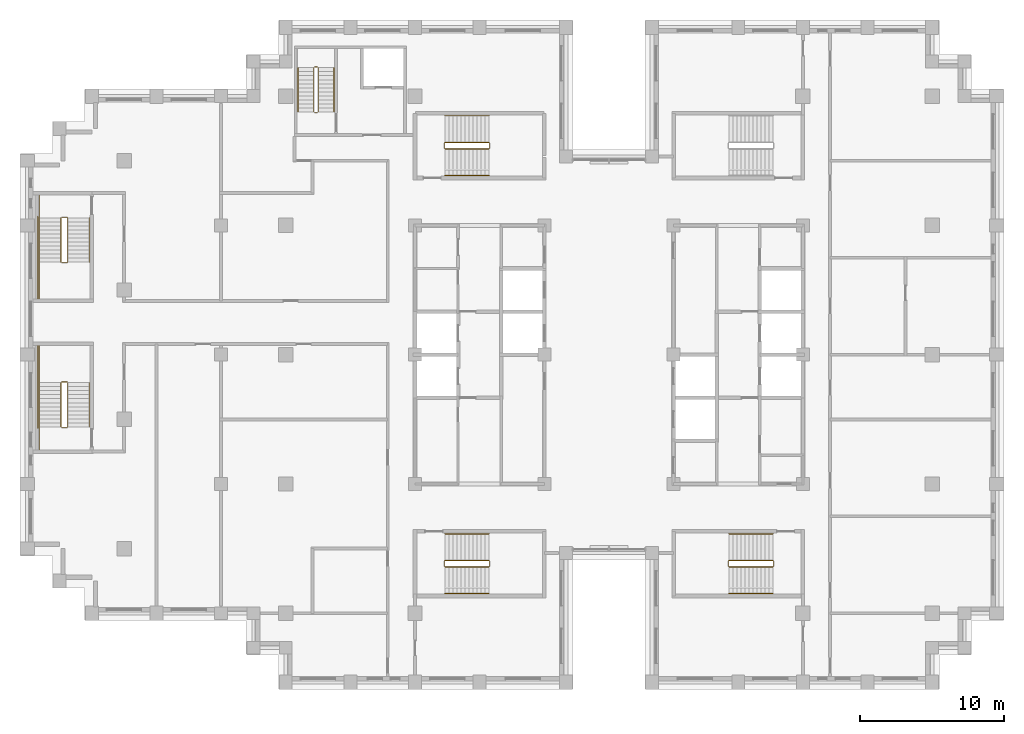
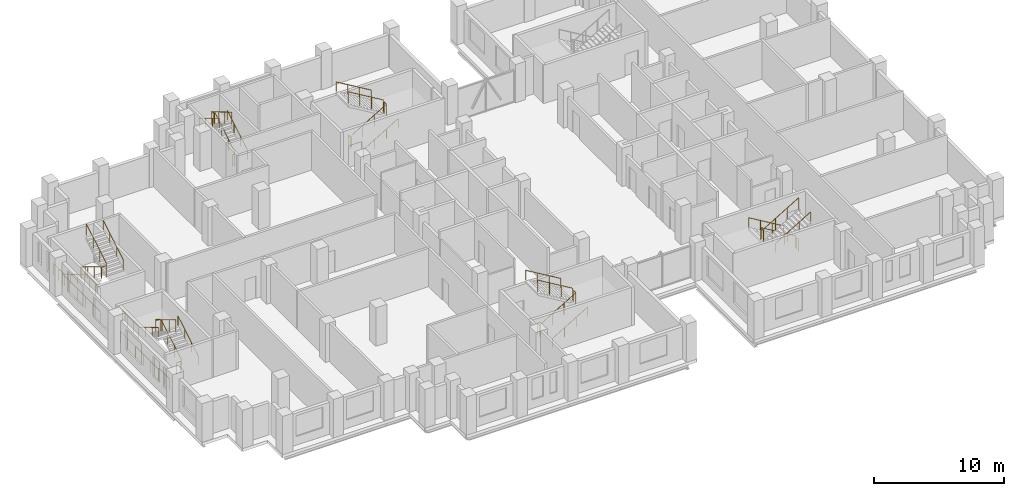
# One storey, part 14 of 15: 6 railings.
"""IFC4 building model written with IfcOpenShell, lengths in metres."""

from ifc_helpers import new_model, si_unit, direction, frame, origin, origin_2d, place, context, subcontext, project, spatial, circle, extrude, material, type_object, element, save


model = new_model("IFC4")

# Units and contexts
model_context = context("Model", 3, precision=1e-05, world=origin(), true_north=direction((0.0, 1.0)))
body_context = subcontext(model_context, "Body", "Model", "MODEL_VIEW")
ifc_project = project(units=[si_unit("LENGTHUNIT", "METRE"), si_unit("AREAUNIT", "SQUARE_METRE"), si_unit("VOLUMEUNIT", "CUBIC_METRE"), si_unit("PLANEANGLEUNIT", "RADIAN"), si_unit("MASSUNIT", "GRAM", prefix="KILO")], contexts=[model_context])

# Site, building, storey
site_placement = place(None, origin())
site = spatial("IfcSite", under=ifc_project, at=site_placement, CompositionType="ELEMENT")
building_placement = place(site_placement, origin())
building = spatial("IfcBuilding", under=site, at=building_placement, Name="Corbelhall Arena Tower", CompositionType="ELEMENT")
storey_placement = place(building_placement, frame((0.0, 0.0, 232.0)))
storey = spatial("IfcBuildingStorey", under=building, at=storey_placement, Name="L49", CompositionType="ELEMENT", Elevation=232.0)

# Railings
ifc_material = material(Name="Steel ASTM A500 Gr C", Category="steel")
railing_type = type_object("IfcRailingType", Name="IN-GD-1100", PredefinedType="GUARDRAIL", material=ifc_material)
railing_1_placement = place(storey_placement, frame((-11.425048828125, 14.324951171875, 0.166748046875)))
element("IfcRailing", 1, at=railing_1_placement, inside=storey, type_object=railing_type, Name="L49 ST1 stair guards and handrails", PredefinedType="GUARDRAIL", context=body_context, shape_type="SweptSolid", body=[
    extrude(circle(Radius=0.02392578125, at=origin_2d()), frame((0.0, 0.0, 1.076171875), z_axis=(0.859308565015, 0.0, 0.511457515432), x_axis=(0.0, 1.0, 0.0)), (0.0, 0.0, 1.0), 3.58447265625),
    extrude(circle(Radius=0.02392578125, at=origin_2d()), frame((3.130126953125, 0.050048828125, 2.9091796875), z_axis=(0.0, 1.0, 0.0), x_axis=(-1.0, 0.0, 0.0)), (0.0, 0.0, 1.0), 0.35009765625),
    extrude(circle(Radius=0.02392578125, at=origin_2d()), frame((3.080078125, 0.449951171875, 3.076171875), z_axis=(-0.859308565015, 0.0, 0.511457515432), x_axis=(0.0, -1.0, 0.0)), (0.0, 0.0, 1.0), 3.58447265625),
    extrude(circle(Radius=0.02392578125, at=origin_2d()), frame((-0.050048828125, 0.050048828125, 0.9091796875), z_axis=(0.0, 1.0, 0.0), x_axis=(-1.0, 0.0, 0.0)), (0.0, 0.0, 1.0), 0.35009765625),
    extrude(circle(Radius=0.02392578125, at=origin_2d()), frame((0.0, -1.849853515625, 0.8759765625), z_axis=(0.859308565015, 0.0, 0.511457515432), x_axis=(0.0, 1.0, 0.0)), (0.0, 0.0, 1.0), 3.58447265625),
    extrude(circle(Radius=0.02392578125, at=origin_2d()), frame((3.080078125, 2.300048828125, 2.8759765625), z_axis=(-0.859308565015, 0.0, 0.511457515432), x_axis=(0.0, -1.0, 0.0)), (0.0, 0.0, 1.0), 3.58447265625),
    extrude(circle(Radius=0.02099609375, at=origin_2d()), origin(), (0.0, 0.0, 1.0), 1.052001953125),
    extrude(circle(Radius=0.02099609375, at=origin_2d()), frame((1.026611328125, 0.0, 0.611083984375)), (0.0, 0.0, 1.0), 1.052001953125),
    extrude(circle(Radius=0.02099609375, at=origin_2d()), frame((2.053466796875, 0.0, 1.22216796875)), (0.0, 0.0, 1.0), 1.052001953125),
    extrude(circle(Radius=0.02099609375, at=origin_2d()), frame((3.080078125, 0.0, 1.833251953125)), (0.0, 0.0, 1.0), 1.052001953125),
    extrude(circle(Radius=0.02099609375, at=origin_2d()), frame((3.130126953125, 0.050048828125, 1.833251953125)), (0.0, 0.0, 1.0), 1.052001953125),
    extrude(circle(Radius=0.02099609375, at=origin_2d()), frame((3.130126953125, 0.400146484375, 1.833251953125)), (0.0, 0.0, 1.0), 1.052001953125),
    extrude(circle(Radius=0.02099609375, at=origin_2d()), frame((3.080078125, 0.449951171875, 2.0)), (0.0, 0.0, 1.0), 1.052001953125),
    extrude(circle(Radius=0.02099609375, at=origin_2d()), frame((2.053466796875, 0.449951171875, 2.611083984375)), (0.0, 0.0, 1.0), 1.052001953125),
    extrude(circle(Radius=0.02099609375, at=origin_2d()), frame((1.026611328125, 0.449951171875, 3.22216796875)), (0.0, 0.0, 1.0), 1.052001953125),
    extrude(circle(Radius=0.02099609375, at=origin_2d()), frame((0.0, 0.449951171875, 3.833251953125)), (0.0, 0.0, 1.0), 1.052001953125),
    extrude(circle(Radius=0.02099609375, at=origin_2d()), frame((-0.050048828125, 0.050048828125, -0.166748046875)), (0.0, 0.0, 1.0), 1.052001953125),
    extrude(circle(Radius=0.02099609375, at=origin_2d()), frame((-0.050048828125, 0.400146484375, -0.166748046875)), (0.0, 0.0, 1.0), 1.052001953125),
    extrude(circle(Radius=0.02099609375, at=origin_2d()), frame((0.0, -1.849853515625, 0.0)), (0.0, 0.0, 1.0), 0.851806640625),
    extrude(circle(Radius=0.02099609375, at=origin_2d()), frame((1.026611328125, -1.849853515625, 0.611083984375)), (0.0, 0.0, 1.0), 0.851806640625),
    extrude(circle(Radius=0.02099609375, at=origin_2d()), frame((2.053466796875, -1.849853515625, 1.22216796875)), (0.0, 0.0, 1.0), 0.851806640625),
    extrude(circle(Radius=0.02099609375, at=origin_2d()), frame((3.080078125, -1.849853515625, 1.833251953125)), (0.0, 0.0, 1.0), 0.851806640625),
    extrude(circle(Radius=0.02099609375, at=origin_2d()), frame((3.080078125, 2.300048828125, 2.0)), (0.0, 0.0, 1.0), 0.851806640625),
    extrude(circle(Radius=0.02099609375, at=origin_2d()), frame((2.053466796875, 2.300048828125, 2.611083984375)), (0.0, 0.0, 1.0), 0.851806640625),
    extrude(circle(Radius=0.02099609375, at=origin_2d()), frame((1.026611328125, 2.300048828125, 3.22216796875)), (0.0, 0.0, 1.0), 0.851806640625),
    extrude(circle(Radius=0.02099609375, at=origin_2d()), frame((0.0, 2.300048828125, 3.833251953125)), (0.0, 0.0, 1.0), 0.851806640625),
])
railing_2_placement = place(storey_placement, frame((-11.425048828125, -14.77490234375, 0.166748046875)))
element("IfcRailing", 2, at=railing_2_placement, inside=storey, type_object=railing_type, Name="L49 ST2 stair guards and handrails", PredefinedType="GUARDRAIL", context=body_context, shape_type="SweptSolid", body=[
    extrude(circle(Radius=0.02392578125, at=origin_2d()), frame((0.0, 0.0, 1.076171875), z_axis=(0.859308565015, 0.0, 0.511457515432), x_axis=(0.0, 1.0, 0.0)), (0.0, 0.0, 1.0), 3.58447265625),
    extrude(circle(Radius=0.02392578125, at=origin_2d()), frame((3.130126953125, 0.0498046875, 2.9091796875), z_axis=(0.0, 1.0, 0.0), x_axis=(-1.0, 0.0, 0.0)), (0.0, 0.0, 1.0), 0.35009765625),
    extrude(circle(Radius=0.02392578125, at=origin_2d()), frame((3.080078125, 0.449951171875, 3.076171875), z_axis=(-0.859308565015, 0.0, 0.511457515432), x_axis=(0.0, -1.0, 0.0)), (0.0, 0.0, 1.0), 3.58447265625),
    extrude(circle(Radius=0.02392578125, at=origin_2d()), frame((-0.050048828125, 0.0498046875, 0.9091796875), z_axis=(0.0, 1.0, 0.0), x_axis=(-1.0, 0.0, 0.0)), (0.0, 0.0, 1.0), 0.35009765625),
    extrude(circle(Radius=0.02392578125, at=origin_2d()), frame((0.0, -1.85009765625, 0.8759765625), z_axis=(0.859308565015, 0.0, 0.511457515432), x_axis=(0.0, 1.0, 0.0)), (0.0, 0.0, 1.0), 3.58447265625),
    extrude(circle(Radius=0.02392578125, at=origin_2d()), frame((3.080078125, 2.2998046875, 2.8759765625), z_axis=(-0.859308565015, 0.0, 0.511457515432), x_axis=(0.0, -1.0, 0.0)), (0.0, 0.0, 1.0), 3.58447265625),
    extrude(circle(Radius=0.02099609375, at=origin_2d()), origin(), (0.0, 0.0, 1.0), 1.052001953125),
    extrude(circle(Radius=0.02099609375, at=origin_2d()), frame((1.026611328125, 0.0, 0.611083984375)), (0.0, 0.0, 1.0), 1.052001953125),
    extrude(circle(Radius=0.02099609375, at=origin_2d()), frame((2.053466796875, 0.0, 1.22216796875)), (0.0, 0.0, 1.0), 1.052001953125),
    extrude(circle(Radius=0.02099609375, at=origin_2d()), frame((3.080078125, 0.0, 1.833251953125)), (0.0, 0.0, 1.0), 1.052001953125),
    extrude(circle(Radius=0.02099609375, at=origin_2d()), frame((3.130126953125, 0.0498046875, 1.833251953125)), (0.0, 0.0, 1.0), 1.052001953125),
    extrude(circle(Radius=0.02099609375, at=origin_2d()), frame((3.130126953125, 0.39990234375, 1.833251953125)), (0.0, 0.0, 1.0), 1.052001953125),
    extrude(circle(Radius=0.02099609375, at=origin_2d()), frame((3.080078125, 0.449951171875, 2.0)), (0.0, 0.0, 1.0), 1.052001953125),
    extrude(circle(Radius=0.02099609375, at=origin_2d()), frame((2.053466796875, 0.449951171875, 2.611083984375)), (0.0, 0.0, 1.0), 1.052001953125),
    extrude(circle(Radius=0.02099609375, at=origin_2d()), frame((1.026611328125, 0.449951171875, 3.22216796875)), (0.0, 0.0, 1.0), 1.052001953125),
    extrude(circle(Radius=0.02099609375, at=origin_2d()), frame((0.0, 0.449951171875, 3.833251953125)), (0.0, 0.0, 1.0), 1.052001953125),
    extrude(circle(Radius=0.02099609375, at=origin_2d()), frame((-0.050048828125, 0.0498046875, -0.166748046875)), (0.0, 0.0, 1.0), 1.052001953125),
    extrude(circle(Radius=0.02099609375, at=origin_2d()), frame((-0.050048828125, 0.39990234375, -0.166748046875)), (0.0, 0.0, 1.0), 1.052001953125),
    extrude(circle(Radius=0.02099609375, at=origin_2d()), frame((0.0, -1.85009765625, 0.0)), (0.0, 0.0, 1.0), 0.851806640625),
    extrude(circle(Radius=0.02099609375, at=origin_2d()), frame((1.026611328125, -1.85009765625, 0.611083984375)), (0.0, 0.0, 1.0), 0.851806640625),
    extrude(circle(Radius=0.02099609375, at=origin_2d()), frame((2.053466796875, -1.85009765625, 1.22216796875)), (0.0, 0.0, 1.0), 0.851806640625),
    extrude(circle(Radius=0.02099609375, at=origin_2d()), frame((3.080078125, -1.85009765625, 1.833251953125)), (0.0, 0.0, 1.0), 0.851806640625),
    extrude(circle(Radius=0.02099609375, at=origin_2d()), frame((3.080078125, 2.2998046875, 2.0)), (0.0, 0.0, 1.0), 0.851806640625),
    extrude(circle(Radius=0.02099609375, at=origin_2d()), frame((2.053466796875, 2.2998046875, 2.611083984375)), (0.0, 0.0, 1.0), 0.851806640625),
    extrude(circle(Radius=0.02099609375, at=origin_2d()), frame((1.026611328125, 2.2998046875, 3.22216796875)), (0.0, 0.0, 1.0), 0.851806640625),
    extrude(circle(Radius=0.02099609375, at=origin_2d()), frame((0.0, 2.2998046875, 3.833251953125)), (0.0, 0.0, 1.0), 0.851806640625),
])
railing_3_placement = place(storey_placement, frame((11.425048828125, -14.324951171875, 0.166748046875)))
element("IfcRailing", 3, at=railing_3_placement, inside=storey, type_object=railing_type, Name="L49 ST4 stair guards and handrails", PredefinedType="GUARDRAIL", context=body_context, shape_type="SweptSolid", body=[
    extrude(circle(Radius=0.02392578125, at=origin_2d()), frame((0.0, 0.0, 1.076171875), z_axis=(-0.859308565015, 0.0, 0.511457515432), x_axis=(0.0, -1.0, 0.0)), (0.0, 0.0, 1.0), 3.58447265625),
    extrude(circle(Radius=0.02392578125, at=origin_2d()), frame((-3.130126953125, -0.050048828125, 2.9091796875), z_axis=(0.0, -1.0, 0.0), x_axis=(1.0, 0.0, 0.0)), (0.0, 0.0, 1.0), 0.35009765625),
    extrude(circle(Radius=0.02392578125, at=origin_2d()), frame((-3.080078125, -0.449951171875, 3.076171875), z_axis=(0.859308565015, 0.0, 0.511457515432), x_axis=(0.0, 1.0, 0.0)), (0.0, 0.0, 1.0), 3.58447265625),
    extrude(circle(Radius=0.02392578125, at=origin_2d()), frame((0.050048828125, -0.050048828125, 0.9091796875), z_axis=(0.0, -1.0, 0.0), x_axis=(1.0, 0.0, 0.0)), (0.0, 0.0, 1.0), 0.35009765625),
    extrude(circle(Radius=0.02392578125, at=origin_2d()), frame((0.0, 1.849853515625, 0.8759765625), z_axis=(-0.859308565015, 0.0, 0.511457515432), x_axis=(0.0, -1.0, 0.0)), (0.0, 0.0, 1.0), 3.58447265625),
    extrude(circle(Radius=0.02392578125, at=origin_2d()), frame((-3.080078125, -2.300048828125, 2.8759765625), z_axis=(0.859308565015, 0.0, 0.511457515432), x_axis=(0.0, 1.0, 0.0)), (0.0, 0.0, 1.0), 3.58447265625),
    extrude(circle(Radius=0.02099609375, at=origin_2d()), origin(), (0.0, 0.0, 1.0), 1.052001953125),
    extrude(circle(Radius=0.02099609375, at=origin_2d()), frame((-1.026611328125, 0.0, 0.611083984375)), (0.0, 0.0, 1.0), 1.052001953125),
    extrude(circle(Radius=0.02099609375, at=origin_2d()), frame((-2.053466796875, 0.0, 1.22216796875)), (0.0, 0.0, 1.0), 1.052001953125),
    extrude(circle(Radius=0.02099609375, at=origin_2d()), frame((-3.080078125, 0.0, 1.833251953125)), (0.0, 0.0, 1.0), 1.052001953125),
    extrude(circle(Radius=0.02099609375, at=origin_2d()), frame((-3.130126953125, -0.050048828125, 1.833251953125)), (0.0, 0.0, 1.0), 1.052001953125),
    extrude(circle(Radius=0.02099609375, at=origin_2d()), frame((-3.130126953125, -0.400146484375, 1.833251953125)), (0.0, 0.0, 1.0), 1.052001953125),
    extrude(circle(Radius=0.02099609375, at=origin_2d()), frame((-3.080078125, -0.449951171875, 2.0)), (0.0, 0.0, 1.0), 1.052001953125),
    extrude(circle(Radius=0.02099609375, at=origin_2d()), frame((-2.053466796875, -0.449951171875, 2.611083984375)), (0.0, 0.0, 1.0), 1.052001953125),
    extrude(circle(Radius=0.02099609375, at=origin_2d()), frame((-1.026611328125, -0.449951171875, 3.22216796875)), (0.0, 0.0, 1.0), 1.052001953125),
    extrude(circle(Radius=0.02099609375, at=origin_2d()), frame((0.0, -0.449951171875, 3.833251953125)), (0.0, 0.0, 1.0), 1.052001953125),
    extrude(circle(Radius=0.02099609375, at=origin_2d()), frame((0.050048828125, -0.050048828125, -0.166748046875)), (0.0, 0.0, 1.0), 1.052001953125),
    extrude(circle(Radius=0.02099609375, at=origin_2d()), frame((0.050048828125, -0.400146484375, -0.166748046875)), (0.0, 0.0, 1.0), 1.052001953125),
    extrude(circle(Radius=0.02099609375, at=origin_2d()), frame((0.0, 1.849853515625, 0.0)), (0.0, 0.0, 1.0), 0.851806640625),
    extrude(circle(Radius=0.02099609375, at=origin_2d()), frame((-1.026611328125, 1.849853515625, 0.611083984375)), (0.0, 0.0, 1.0), 0.851806640625),
    extrude(circle(Radius=0.02099609375, at=origin_2d()), frame((-2.053466796875, 1.849853515625, 1.22216796875)), (0.0, 0.0, 1.0), 0.851806640625),
    extrude(circle(Radius=0.02099609375, at=origin_2d()), frame((-3.080078125, 1.849853515625, 1.833251953125)), (0.0, 0.0, 1.0), 0.851806640625),
    extrude(circle(Radius=0.02099609375, at=origin_2d()), frame((-3.080078125, -2.300048828125, 2.0)), (0.0, 0.0, 1.0), 0.851806640625),
    extrude(circle(Radius=0.02099609375, at=origin_2d()), frame((-2.053466796875, -2.300048828125, 2.611083984375)), (0.0, 0.0, 1.0), 0.851806640625),
    extrude(circle(Radius=0.02099609375, at=origin_2d()), frame((-1.026611328125, -2.300048828125, 3.22216796875)), (0.0, 0.0, 1.0), 0.851806640625),
    extrude(circle(Radius=0.02099609375, at=origin_2d()), frame((0.0, -2.300048828125, 3.833251953125)), (0.0, 0.0, 1.0), 0.851806640625),
])
railing_4_placement = place(storey_placement, frame((-38.14990234375, 9.52490234375, 0.166748046875)))
element("IfcRailing", 4, at=railing_4_placement, inside=storey, type_object=railing_type, Name="L49 SC1 stair guards and handrails", PredefinedType="GUARDRAIL", context=body_context, shape_type="SweptSolid", body=[
    extrude(circle(Radius=0.02392578125, at=origin_2d()), frame((0.0, 0.0, 1.076171875), z_axis=(0.0, -0.859290745958, 0.51148745235), x_axis=(1.0, 0.0, 0.0)), (0.0, 0.0, 1.0), 3.584228515625),
    extrude(circle(Radius=0.02392578125, at=origin_2d()), frame((0.0498046875, -3.1298828125, 2.9091796875), z_axis=(1.0, 0.0, 0.0), x_axis=(0.0, 1.0, 0.0)), (0.0, 0.0, 1.0), 0.375),
    extrude(circle(Radius=0.02392578125, at=origin_2d()), frame((-1.5, -3.079833984375, 2.9091796875), z_axis=(0.0, -1.0, 0.0), x_axis=(1.0, 0.0, 0.0)), (0.0, 0.0, 1.0), 2.570068359375),
    extrude(circle(Radius=0.02392578125, at=origin_2d()), frame((0.474853515625, -3.079833984375, 3.076171875), z_axis=(0.0, 0.859290745958, 0.51148745235), x_axis=(-1.0, 0.0, 0.0)), (0.0, 0.0, 1.0), 3.584228515625),
    extrude(circle(Radius=0.02392578125, at=origin_2d()), frame((0.0498046875, 0.050048828125, 0.9091796875), z_axis=(1.0, 0.0, 0.0), x_axis=(0.0, 1.0, 0.0)), (0.0, 0.0, 1.0), 0.375),
    extrude(circle(Radius=0.02392578125, at=origin_2d()), frame((-1.5, 1.60009765625, 0.9091796875), z_axis=(0.0, -1.0, 0.0), x_axis=(1.0, 0.0, 0.0)), (0.0, 0.0, 1.0), 1.60009765625),
    extrude(circle(Radius=0.02392578125, at=origin_2d()), frame((-1.60009765625, 0.10009765625, 0.9091796875), z_axis=(0.0, -1.0, 0.0), x_axis=(1.0, 0.0, 0.0)), (0.0, 0.0, 1.0), 5.85009765625),
    extrude(circle(Radius=0.02392578125, at=origin_2d()), frame((-1.5, 0.0, 0.8759765625), z_axis=(0.0, -0.859290745958, 0.51148745235), x_axis=(1.0, 0.0, 0.0)), (0.0, 0.0, 1.0), 3.584228515625),
    extrude(circle(Radius=0.02392578125, at=origin_2d()), frame((1.974853515625, -3.079833984375, 2.8759765625), z_axis=(0.0, 0.859290745958, 0.51148745235), x_axis=(-1.0, 0.0, 0.0)), (0.0, 0.0, 1.0), 3.584228515625),
    extrude(circle(Radius=0.02099609375, at=origin_2d()), origin(), (0.0, 0.0, 1.0), 1.052001953125),
    extrude(circle(Radius=0.02099609375, at=origin_2d()), frame((0.0, -1.026611328125, 0.611083984375)), (0.0, 0.0, 1.0), 1.052001953125),
    extrude(circle(Radius=0.02099609375, at=origin_2d()), frame((0.0, -2.05322265625, 1.22216796875)), (0.0, 0.0, 1.0), 1.052001953125),
    extrude(circle(Radius=0.02099609375, at=origin_2d()), frame((0.0, -3.079833984375, 1.833251953125)), (0.0, 0.0, 1.0), 1.052001953125),
    extrude(circle(Radius=0.02099609375, at=origin_2d()), frame((0.0498046875, -3.1298828125, 1.833251953125)), (0.0, 0.0, 1.0), 1.052001953125),
    extrude(circle(Radius=0.02099609375, at=origin_2d()), frame((0.4248046875, -3.1298828125, 1.833251953125)), (0.0, 0.0, 1.0), 1.052001953125),
    extrude(circle(Radius=0.02099609375, at=origin_2d()), frame((-1.5, -3.079833984375, 1.833251953125)), (0.0, 0.0, 1.0), 1.052001953125),
    extrude(circle(Radius=0.02099609375, at=origin_2d()), frame((-1.5, -3.9365234375, 1.833251953125)), (0.0, 0.0, 1.0), 1.052001953125),
    extrude(circle(Radius=0.02099609375, at=origin_2d()), frame((-1.5, -4.793212890625, 1.833251953125)), (0.0, 0.0, 1.0), 1.052001953125),
    extrude(circle(Radius=0.02099609375, at=origin_2d()), frame((-1.5, -5.64990234375, 1.833251953125)), (0.0, 0.0, 1.0), 1.052001953125),
    extrude(circle(Radius=0.02099609375, at=origin_2d()), frame((0.474853515625, -3.079833984375, 2.0)), (0.0, 0.0, 1.0), 1.052001953125),
    extrude(circle(Radius=0.02099609375, at=origin_2d()), frame((0.474853515625, -2.05322265625, 2.611083984375)), (0.0, 0.0, 1.0), 1.052001953125),
    extrude(circle(Radius=0.02099609375, at=origin_2d()), frame((0.474853515625, -1.026611328125, 3.22216796875)), (0.0, 0.0, 1.0), 1.052001953125),
    extrude(circle(Radius=0.02099609375, at=origin_2d()), frame((0.474853515625, 0.0, 3.833251953125)), (0.0, 0.0, 1.0), 1.052001953125),
    extrude(circle(Radius=0.02099609375, at=origin_2d()), frame((0.0498046875, 0.050048828125, -0.166748046875)), (0.0, 0.0, 1.0), 1.052001953125),
    extrude(circle(Radius=0.02099609375, at=origin_2d()), frame((0.4248046875, 0.050048828125, -0.166748046875)), (0.0, 0.0, 1.0), 1.052001953125),
    extrude(circle(Radius=0.02099609375, at=origin_2d()), frame((-1.5, 1.60009765625, -0.166748046875)), (0.0, 0.0, 1.0), 1.052001953125),
    extrude(circle(Radius=0.02099609375, at=origin_2d()), frame((-1.5, 0.800048828125, -0.166748046875)), (0.0, 0.0, 1.0), 1.052001953125),
    extrude(circle(Radius=0.02099609375, at=origin_2d()), frame((-1.5, 0.0, -0.166748046875)), (0.0, 0.0, 1.0), 1.052001953125),
    extrude(circle(Radius=0.02099609375, at=origin_2d()), frame((-1.60009765625, 0.10009765625, -0.166748046875)), (0.0, 0.0, 1.0), 1.052001953125),
    extrude(circle(Radius=0.02099609375, at=origin_2d()), frame((-1.60009765625, -1.06982421875, -0.166748046875)), (0.0, 0.0, 1.0), 1.052001953125),
    extrude(circle(Radius=0.02099609375, at=origin_2d()), frame((-1.60009765625, -2.239990234375, -0.166748046875)), (0.0, 0.0, 1.0), 1.052001953125),
    extrude(circle(Radius=0.02099609375, at=origin_2d()), frame((-1.60009765625, -3.409912109375, -0.166748046875)), (0.0, 0.0, 1.0), 1.052001953125),
    extrude(circle(Radius=0.02099609375, at=origin_2d()), frame((-1.60009765625, -4.580078125, -0.166748046875)), (0.0, 0.0, 1.0), 1.052001953125),
    extrude(circle(Radius=0.02099609375, at=origin_2d()), frame((-1.60009765625, -5.75, -0.166748046875)), (0.0, 0.0, 1.0), 1.052001953125),
    extrude(circle(Radius=0.02099609375, at=origin_2d()), frame((-1.5, 0.0, 0.0)), (0.0, 0.0, 1.0), 0.851806640625),
    extrude(circle(Radius=0.02099609375, at=origin_2d()), frame((-1.5, -1.026611328125, 0.611083984375)), (0.0, 0.0, 1.0), 0.851806640625),
    extrude(circle(Radius=0.02099609375, at=origin_2d()), frame((-1.5, -2.05322265625, 1.22216796875)), (0.0, 0.0, 1.0), 0.851806640625),
    extrude(circle(Radius=0.02099609375, at=origin_2d()), frame((1.974853515625, -3.079833984375, 2.0)), (0.0, 0.0, 1.0), 0.851806640625),
    extrude(circle(Radius=0.02099609375, at=origin_2d()), frame((1.974853515625, -2.05322265625, 2.611083984375)), (0.0, 0.0, 1.0), 0.851806640625),
    extrude(circle(Radius=0.02099609375, at=origin_2d()), frame((1.974853515625, -1.026611328125, 3.22216796875)), (0.0, 0.0, 1.0), 0.851806640625),
    extrude(circle(Radius=0.02099609375, at=origin_2d()), frame((1.974853515625, 0.0, 3.833251953125)), (0.0, 0.0, 1.0), 0.851806640625),
])
railing_5_placement = place(storey_placement, frame((-37.675048828125, -5.02490234375, 0.166748046875)))
element("IfcRailing", 5, at=railing_5_placement, inside=storey, type_object=railing_type, Name="L49 SC2 stair guards and handrails", PredefinedType="GUARDRAIL", context=body_context, shape_type="SweptSolid", body=[
    extrude(circle(Radius=0.02392578125, at=origin_2d()), frame((0.0, 0.0, 1.076171875), z_axis=(0.0, 0.859290745958, 0.51148745235), x_axis=(-1.0, 0.0, 0.0)), (0.0, 0.0, 1.0), 3.584228515625),
    extrude(circle(Radius=0.02392578125, at=origin_2d()), frame((-0.050048828125, 3.1298828125, 2.9091796875), z_axis=(-1.0, 0.0, 0.0), x_axis=(0.0, -1.0, 0.0)), (0.0, 0.0, 1.0), 0.375),
    extrude(circle(Radius=0.02392578125, at=origin_2d()), frame((-1.974853515625, 3.079833984375, 2.9091796875), z_axis=(0.0, 1.0, 0.0), x_axis=(-1.0, 0.0, 0.0)), (0.0, 0.0, 1.0), 2.570068359375),
    extrude(circle(Radius=0.02392578125, at=origin_2d()), frame((-0.474853515625, 3.079833984375, 3.076171875), z_axis=(0.0, -0.859290745958, 0.51148745235), x_axis=(1.0, 0.0, 0.0)), (0.0, 0.0, 1.0), 3.584228515625),
    extrude(circle(Radius=0.02392578125, at=origin_2d()), frame((-0.050048828125, -0.050048828125, 0.9091796875), z_axis=(-1.0, 0.0, 0.0), x_axis=(0.0, -1.0, 0.0)), (0.0, 0.0, 1.0), 0.375),
    extrude(circle(Radius=0.02392578125, at=origin_2d()), frame((-1.974853515625, -1.60009765625, 0.9091796875), z_axis=(0.0, 1.0, 0.0), x_axis=(-1.0, 0.0, 0.0)), (0.0, 0.0, 1.0), 1.60009765625),
    extrude(circle(Radius=0.02392578125, at=origin_2d()), frame((-2.074951171875, -0.10009765625, 0.9091796875), z_axis=(0.0, 1.0, 0.0), x_axis=(-1.0, 0.0, 0.0)), (0.0, 0.0, 1.0), 5.85009765625),
    extrude(circle(Radius=0.02392578125, at=origin_2d()), frame((1.5, 0.0, 0.8759765625), z_axis=(0.0, 0.859290745958, 0.51148745235), x_axis=(-1.0, 0.0, 0.0)), (0.0, 0.0, 1.0), 3.584228515625),
    extrude(circle(Radius=0.02392578125, at=origin_2d()), frame((-1.974853515625, 3.079833984375, 2.8759765625), z_axis=(0.0, -0.859290745958, 0.51148745235), x_axis=(1.0, 0.0, 0.0)), (0.0, 0.0, 1.0), 3.584228515625),
    extrude(circle(Radius=0.02099609375, at=origin_2d()), origin(), (0.0, 0.0, 1.0), 1.052001953125),
    extrude(circle(Radius=0.02099609375, at=origin_2d()), frame((0.0, 1.026611328125, 0.611083984375)), (0.0, 0.0, 1.0), 1.052001953125),
    extrude(circle(Radius=0.02099609375, at=origin_2d()), frame((0.0, 2.05322265625, 1.22216796875)), (0.0, 0.0, 1.0), 1.052001953125),
    extrude(circle(Radius=0.02099609375, at=origin_2d()), frame((0.0, 3.079833984375, 1.833251953125)), (0.0, 0.0, 1.0), 1.052001953125),
    extrude(circle(Radius=0.02099609375, at=origin_2d()), frame((-0.050048828125, 3.1298828125, 1.833251953125)), (0.0, 0.0, 1.0), 1.052001953125),
    extrude(circle(Radius=0.02099609375, at=origin_2d()), frame((-0.425048828125, 3.1298828125, 1.833251953125)), (0.0, 0.0, 1.0), 1.052001953125),
    extrude(circle(Radius=0.02099609375, at=origin_2d()), frame((-1.974853515625, 3.079833984375, 1.833251953125)), (0.0, 0.0, 1.0), 1.052001953125),
    extrude(circle(Radius=0.02099609375, at=origin_2d()), frame((-1.974853515625, 3.9365234375, 1.833251953125)), (0.0, 0.0, 1.0), 1.052001953125),
    extrude(circle(Radius=0.02099609375, at=origin_2d()), frame((-1.974853515625, 4.793212890625, 1.833251953125)), (0.0, 0.0, 1.0), 1.052001953125),
    extrude(circle(Radius=0.02099609375, at=origin_2d()), frame((-1.974853515625, 5.64990234375, 1.833251953125)), (0.0, 0.0, 1.0), 1.052001953125),
    extrude(circle(Radius=0.02099609375, at=origin_2d()), frame((-0.474853515625, 3.079833984375, 2.0)), (0.0, 0.0, 1.0), 1.052001953125),
    extrude(circle(Radius=0.02099609375, at=origin_2d()), frame((-0.474853515625, 2.05322265625, 2.611083984375)), (0.0, 0.0, 1.0), 1.052001953125),
    extrude(circle(Radius=0.02099609375, at=origin_2d()), frame((-0.474853515625, 1.026611328125, 3.22216796875)), (0.0, 0.0, 1.0), 1.052001953125),
    extrude(circle(Radius=0.02099609375, at=origin_2d()), frame((-0.474853515625, 0.0, 3.833251953125)), (0.0, 0.0, 1.0), 1.052001953125),
    extrude(circle(Radius=0.02099609375, at=origin_2d()), frame((-0.050048828125, -0.050048828125, -0.166748046875)), (0.0, 0.0, 1.0), 1.052001953125),
    extrude(circle(Radius=0.02099609375, at=origin_2d()), frame((-0.425048828125, -0.050048828125, -0.166748046875)), (0.0, 0.0, 1.0), 1.052001953125),
    extrude(circle(Radius=0.02099609375, at=origin_2d()), frame((-1.974853515625, -1.60009765625, -0.166748046875)), (0.0, 0.0, 1.0), 1.052001953125),
    extrude(circle(Radius=0.02099609375, at=origin_2d()), frame((-1.974853515625, -0.800048828125, -0.166748046875)), (0.0, 0.0, 1.0), 1.052001953125),
    extrude(circle(Radius=0.02099609375, at=origin_2d()), frame((-1.974853515625, 0.0, -0.166748046875)), (0.0, 0.0, 1.0), 1.052001953125),
    extrude(circle(Radius=0.02099609375, at=origin_2d()), frame((-2.074951171875, -0.10009765625, -0.166748046875)), (0.0, 0.0, 1.0), 1.052001953125),
    extrude(circle(Radius=0.02099609375, at=origin_2d()), frame((-2.074951171875, 1.06982421875, -0.166748046875)), (0.0, 0.0, 1.0), 1.052001953125),
    extrude(circle(Radius=0.02099609375, at=origin_2d()), frame((-2.074951171875, 2.239990234375, -0.166748046875)), (0.0, 0.0, 1.0), 1.052001953125),
    extrude(circle(Radius=0.02099609375, at=origin_2d()), frame((-2.074951171875, 3.409912109375, -0.166748046875)), (0.0, 0.0, 1.0), 1.052001953125),
    extrude(circle(Radius=0.02099609375, at=origin_2d()), frame((-2.074951171875, 4.580078125, -0.166748046875)), (0.0, 0.0, 1.0), 1.052001953125),
    extrude(circle(Radius=0.02099609375, at=origin_2d()), frame((-2.074951171875, 5.75, -0.166748046875)), (0.0, 0.0, 1.0), 1.052001953125),
    extrude(circle(Radius=0.02099609375, at=origin_2d()), frame((1.5, 0.0, 0.0)), (0.0, 0.0, 1.0), 0.851806640625),
    extrude(circle(Radius=0.02099609375, at=origin_2d()), frame((1.5, 1.026611328125, 0.611083984375)), (0.0, 0.0, 1.0), 0.851806640625),
    extrude(circle(Radius=0.02099609375, at=origin_2d()), frame((1.5, 2.05322265625, 1.22216796875)), (0.0, 0.0, 1.0), 0.851806640625),
    extrude(circle(Radius=0.02099609375, at=origin_2d()), frame((1.5, 3.079833984375, 1.833251953125)), (0.0, 0.0, 1.0), 0.851806640625),
    extrude(circle(Radius=0.02099609375, at=origin_2d()), frame((-1.974853515625, 3.079833984375, 2.0)), (0.0, 0.0, 1.0), 0.851806640625),
    extrude(circle(Radius=0.02099609375, at=origin_2d()), frame((-1.974853515625, 2.05322265625, 2.611083984375)), (0.0, 0.0, 1.0), 0.851806640625),
    extrude(circle(Radius=0.02099609375, at=origin_2d()), frame((-1.974853515625, 1.026611328125, 3.22216796875)), (0.0, 0.0, 1.0), 0.851806640625),
    extrude(circle(Radius=0.02099609375, at=origin_2d()), frame((-1.974853515625, 0.0, 3.833251953125)), (0.0, 0.0, 1.0), 0.851806640625),
])
railing_6_placement = place(storey_placement, frame((-20.2451171875, 16.89990234375, 0.166748046875)))
element("IfcRailing", 6, at=railing_6_placement, inside=storey, type_object=railing_type, Name="L49 ST5 stair guards and handrails", PredefinedType="GUARDRAIL", context=body_context, shape_type="SweptSolid", body=[
    extrude(circle(Radius=0.02392578125, at=origin_2d()), frame((0.0, 0.0, 1.076171875), z_axis=(0.0, 0.859308565015, 0.511457515432), x_axis=(-1.0, 0.0, 0.0)), (0.0, 0.0, 1.0), 3.58447265625),
    extrude(circle(Radius=0.02392578125, at=origin_2d()), frame((-0.0498046875, 3.130126953125, 2.9091796875), z_axis=(-1.0, 0.0, 0.0), x_axis=(0.0, -1.0, 0.0)), (0.0, 0.0, 1.0), 0.2001953125),
    extrude(circle(Radius=0.02392578125, at=origin_2d()), frame((-0.2998046875, 3.080078125, 3.076171875), z_axis=(0.0, -0.859308565015, 0.511457515432), x_axis=(1.0, 0.0, 0.0)), (0.0, 0.0, 1.0), 3.58447265625),
    extrude(circle(Radius=0.02392578125, at=origin_2d()), frame((-0.0498046875, -0.0498046875, 0.9091796875), z_axis=(-1.0, 0.0, 0.0), x_axis=(0.0, -1.0, 0.0)), (0.0, 0.0, 1.0), 0.2001953125),
    extrude(circle(Radius=0.02392578125, at=origin_2d()), frame((1.10009765625, 0.0, 0.8759765625), z_axis=(0.0, 0.859308565015, 0.511457515432), x_axis=(-1.0, 0.0, 0.0)), (0.0, 0.0, 1.0), 3.58447265625),
    extrude(circle(Radius=0.02392578125, at=origin_2d()), frame((-1.39990234375, 3.080078125, 2.8759765625), z_axis=(0.0, -0.859308565015, 0.511457515432), x_axis=(1.0, 0.0, 0.0)), (0.0, 0.0, 1.0), 3.58447265625),
    extrude(circle(Radius=0.02099609375, at=origin_2d()), origin(), (0.0, 0.0, 1.0), 1.052001953125),
    extrude(circle(Radius=0.02099609375, at=origin_2d()), frame((0.0, 1.026611328125, 0.611083984375)), (0.0, 0.0, 1.0), 1.052001953125),
    extrude(circle(Radius=0.02099609375, at=origin_2d()), frame((0.0, 2.053466796875, 1.22216796875)), (0.0, 0.0, 1.0), 1.052001953125),
    extrude(circle(Radius=0.02099609375, at=origin_2d()), frame((0.0, 3.080078125, 1.833251953125)), (0.0, 0.0, 1.0), 1.052001953125),
    extrude(circle(Radius=0.02099609375, at=origin_2d()), frame((-0.0498046875, 3.130126953125, 1.833251953125)), (0.0, 0.0, 1.0), 1.052001953125),
    extrude(circle(Radius=0.02099609375, at=origin_2d()), frame((-0.25, 3.130126953125, 1.833251953125)), (0.0, 0.0, 1.0), 1.052001953125),
    extrude(circle(Radius=0.02099609375, at=origin_2d()), frame((-0.2998046875, 3.080078125, 2.0)), (0.0, 0.0, 1.0), 1.052001953125),
    extrude(circle(Radius=0.02099609375, at=origin_2d()), frame((-0.2998046875, 2.053466796875, 2.611083984375)), (0.0, 0.0, 1.0), 1.052001953125),
    extrude(circle(Radius=0.02099609375, at=origin_2d()), frame((-0.2998046875, 1.026611328125, 3.22216796875)), (0.0, 0.0, 1.0), 1.052001953125),
    extrude(circle(Radius=0.02099609375, at=origin_2d()), frame((-0.2998046875, 0.0, 3.833251953125)), (0.0, 0.0, 1.0), 1.052001953125),
    extrude(circle(Radius=0.02099609375, at=origin_2d()), frame((-0.0498046875, -0.0498046875, -0.166748046875)), (0.0, 0.0, 1.0), 1.052001953125),
    extrude(circle(Radius=0.02099609375, at=origin_2d()), frame((-0.25, -0.0498046875, -0.166748046875)), (0.0, 0.0, 1.0), 1.052001953125),
    extrude(circle(Radius=0.02099609375, at=origin_2d()), frame((1.10009765625, 0.0, 0.0)), (0.0, 0.0, 1.0), 0.851806640625),
    extrude(circle(Radius=0.02099609375, at=origin_2d()), frame((1.10009765625, 1.026611328125, 0.611083984375)), (0.0, 0.0, 1.0), 0.851806640625),
    extrude(circle(Radius=0.02099609375, at=origin_2d()), frame((1.10009765625, 2.053466796875, 1.22216796875)), (0.0, 0.0, 1.0), 0.851806640625),
    extrude(circle(Radius=0.02099609375, at=origin_2d()), frame((1.10009765625, 3.080078125, 1.833251953125)), (0.0, 0.0, 1.0), 0.851806640625),
    extrude(circle(Radius=0.02099609375, at=origin_2d()), frame((-1.39990234375, 3.080078125, 2.0)), (0.0, 0.0, 1.0), 0.851806640625),
    extrude(circle(Radius=0.02099609375, at=origin_2d()), frame((-1.39990234375, 2.053466796875, 2.611083984375)), (0.0, 0.0, 1.0), 0.851806640625),
    extrude(circle(Radius=0.02099609375, at=origin_2d()), frame((-1.39990234375, 1.026611328125, 3.22216796875)), (0.0, 0.0, 1.0), 0.851806640625),
    extrude(circle(Radius=0.02099609375, at=origin_2d()), frame((-1.39990234375, 0.0, 3.833251953125)), (0.0, 0.0, 1.0), 0.851806640625),
])

save(model, "model.ifc")
